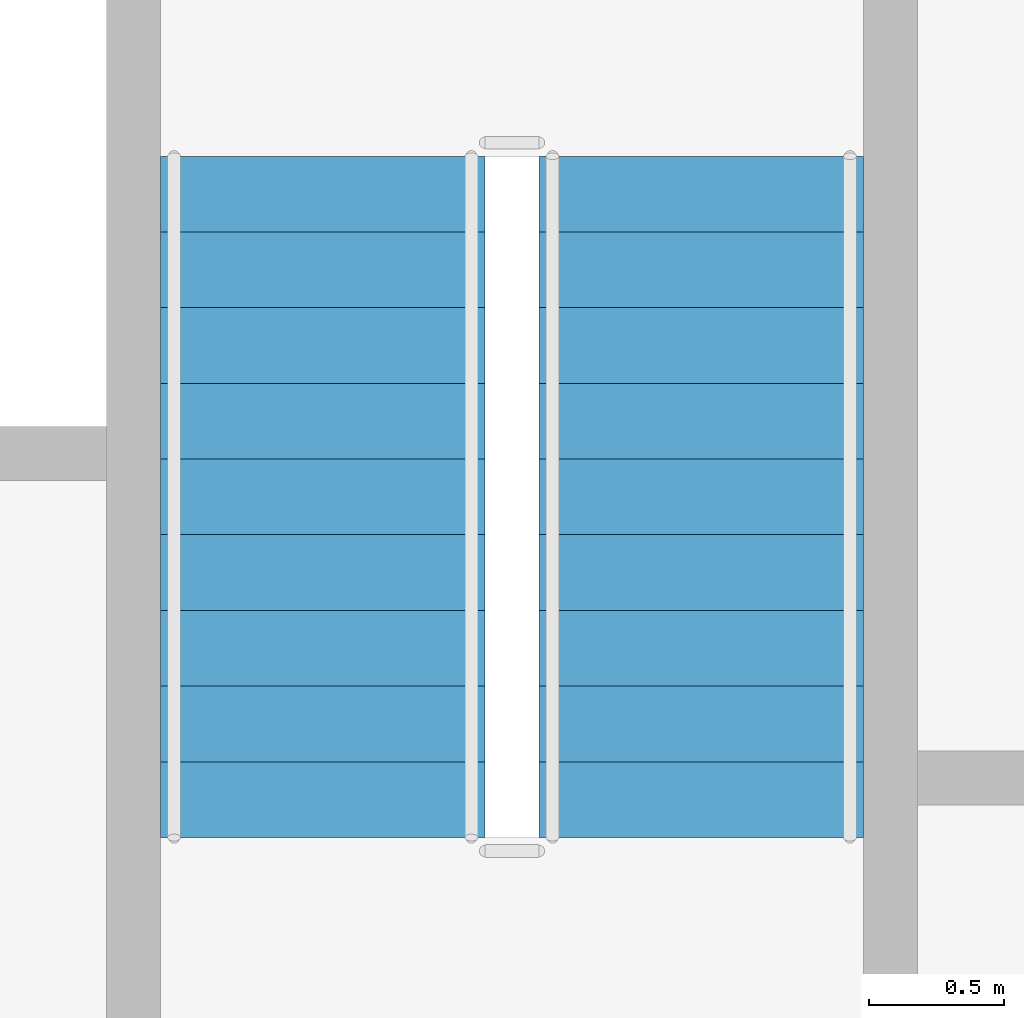
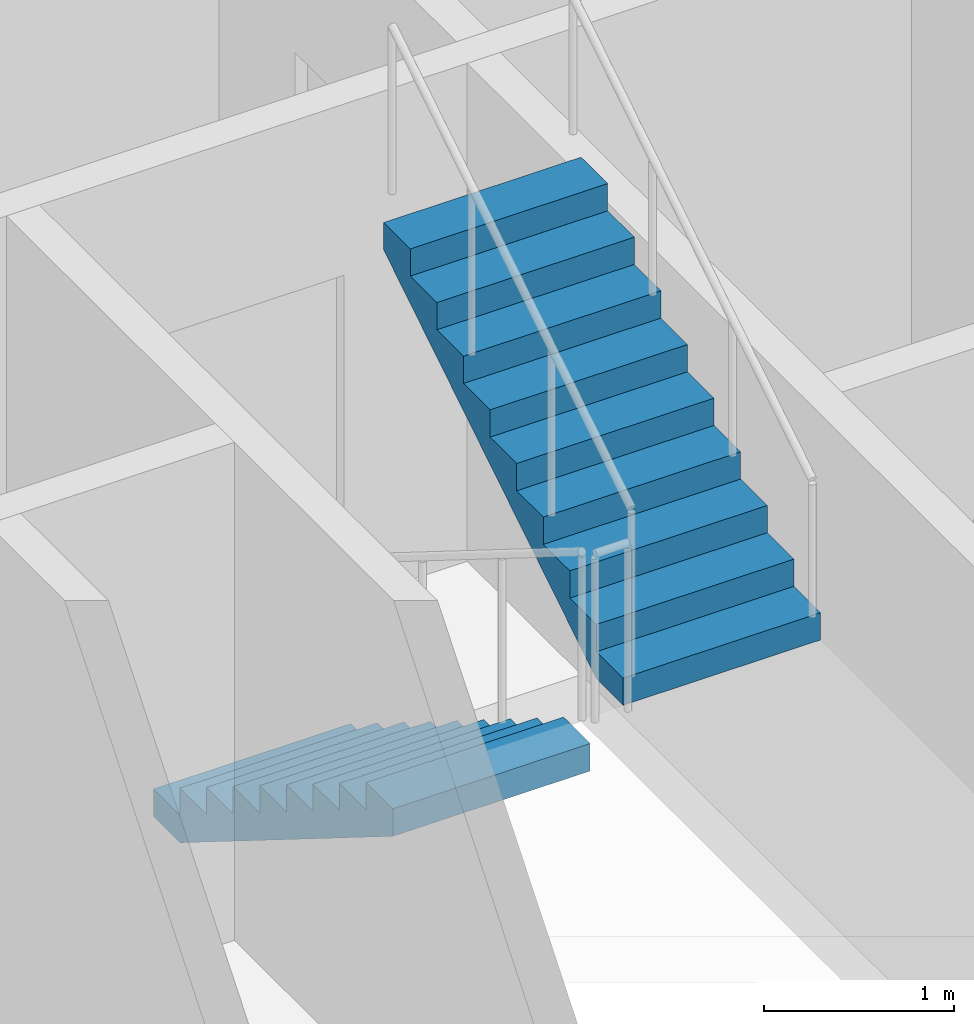
# One storey, part 12 of 23: 2 stair flights, 1 element without a shape of its own.
"""IFC4 building model written with IfcOpenShell, lengths in metres."""

from ifc_helpers import new_model, si_unit, direction, frame, origin, place, context, subcontext, project, spatial, polyline, outline, extrude, material, type_object, element, aggregate, save


model = new_model("IFC4")

# Units and contexts
model_context = context("Model", 3, precision=1e-05, world=origin(), true_north=direction((0.0, 1.0)))
body_context = subcontext(model_context, "Body", "Model", "MODEL_VIEW")
ifc_project = project(units=[si_unit("LENGTHUNIT", "METRE"), si_unit("AREAUNIT", "SQUARE_METRE"), si_unit("VOLUMEUNIT", "CUBIC_METRE"), si_unit("PLANEANGLEUNIT", "RADIAN"), si_unit("MASSUNIT", "GRAM", prefix="KILO")], contexts=[model_context])

# Site, building, storey
site_placement = place(None, origin())
site = spatial("IfcSite", under=ifc_project, at=site_placement, CompositionType="ELEMENT")
building_placement = place(site_placement, origin())
building = spatial("IfcBuilding", under=site, at=building_placement, Name="Kiln Ring Residences", CompositionType="ELEMENT")
storey_placement = place(building_placement, frame((0.0, 0.0, 118.300048828125)))
storey = spatial("IfcBuildingStorey", under=building, at=storey_placement, Name="L30", CompositionType="ELEMENT", Elevation=118.300048828125)

# Stair, stair flights
ifc_material_1 = material(Name="Concrete C40/50", Category="concrete")
stair_type = type_object("IfcStairType", Name="CORE-STAIR", PredefinedType="HALF_TURN_STAIR", material=ifc_material_1)
stair_placement = place(storey_placement, origin())
stair = element("IfcStair", 1, at=stair_placement, inside=storey, type_object=stair_type, Name="L30 stair E-STN", PredefinedType="HALF_TURN_STAIR")
ifc_material_2 = material(Name="Concrete C40/50", Category="concrete")
stair_flight_type = type_object("IfcStairFlightType", Name="CORE-STAIR-FLIGHT", PredefinedType="STRAIGHT", material=ifc_material_2)
stair_flight_1_placement = place(storey_placement, frame((21.39990234375, 8.39990234375, 0.0), z_axis=(0.0, 0.0, 1.0), x_axis=(0.0, -1.0, 0.0)))
stair_flight_1 = element("IfcStairFlight", 2, at=stair_flight_1_placement, type_object=stair_flight_type, Name="E-STN flight 1", NumberOfRisers=10, NumberOfTreads=9, PredefinedType="STRAIGHT", RiserHeight=0.175, TreadLength=0.28, context=body_context, shape_type="SweptSolid", body=[
    extrude(outline(polyline([(0.0, 0.0), (0.0, 0.175048828125), (0.280029296875, 0.175048828125), (0.280029296875, 0.35009765625), (0.56005859375, 0.35009765625), (0.56005859375, 0.52490234375), (0.840087890625, 0.52490234375), (0.840087890625, 0.699951171875), (1.1201171875, 0.699951171875), (1.1201171875, 0.875), (1.39990234375, 0.875), (1.39990234375, 1.050048828125), (1.679931640625, 1.050048828125), (1.679931640625, 1.22509765625), (1.9599609375, 1.22509765625), (1.9599609375, 1.39990234375), (2.239990234375, 1.39990234375), (2.239990234375, 1.574951171875), (2.52001953125, 1.574951171875), (2.52001953125, 1.75), (2.52001953125, 1.398193359375), (0.28271484375, 0.0), (0.0, 0.0)])), frame((0.0, 0.60009765625, 0.0), z_axis=(0.0, -1.0, 0.0), x_axis=(1.0, 0.0, 0.0)), (0.0, 0.0, 1.0), 1.199951171875),
])
stair_flight_2_placement = place(storey_placement, frame((22.800048828125, 5.8798828125, 1.75), z_axis=(0.0, 0.0, 1.0), x_axis=(0.0, 1.0, 0.0)))
stair_flight_2 = element("IfcStairFlight", 3, at=stair_flight_2_placement, type_object=stair_flight_type, Name="E-STN flight 2", NumberOfRisers=10, NumberOfTreads=9, PredefinedType="STRAIGHT", RiserHeight=0.175, TreadLength=0.28, context=body_context, shape_type="SweptSolid", body=[
    extrude(outline(polyline([(0.0, 0.0), (0.0, 0.175048828125), (0.280029296875, 0.175048828125), (0.280029296875, 0.35009765625), (0.56005859375, 0.35009765625), (0.56005859375, 0.52490234375), (0.840087890625, 0.52490234375), (0.840087890625, 0.699951171875), (1.1201171875, 0.699951171875), (1.1201171875, 0.875), (1.39990234375, 0.875), (1.39990234375, 1.050048828125), (1.679931640625, 1.050048828125), (1.679931640625, 1.22509765625), (1.9599609375, 1.22509765625), (1.9599609375, 1.39990234375), (2.239990234375, 1.39990234375), (2.239990234375, 1.574951171875), (2.52001953125, 1.574951171875), (2.52001953125, 1.75), (2.52001953125, 1.398193359375), (0.28271484375, 0.0), (0.0, 0.0)])), frame((0.0, 0.60009765625, 0.0), z_axis=(0.0, -1.0, 0.0), x_axis=(1.0, 0.0, 0.0)), (0.0, 0.0, 1.0), 1.199951171875),
])
aggregate(stair, [stair_flight_1, stair_flight_2])

save(model, "model.ifc")
